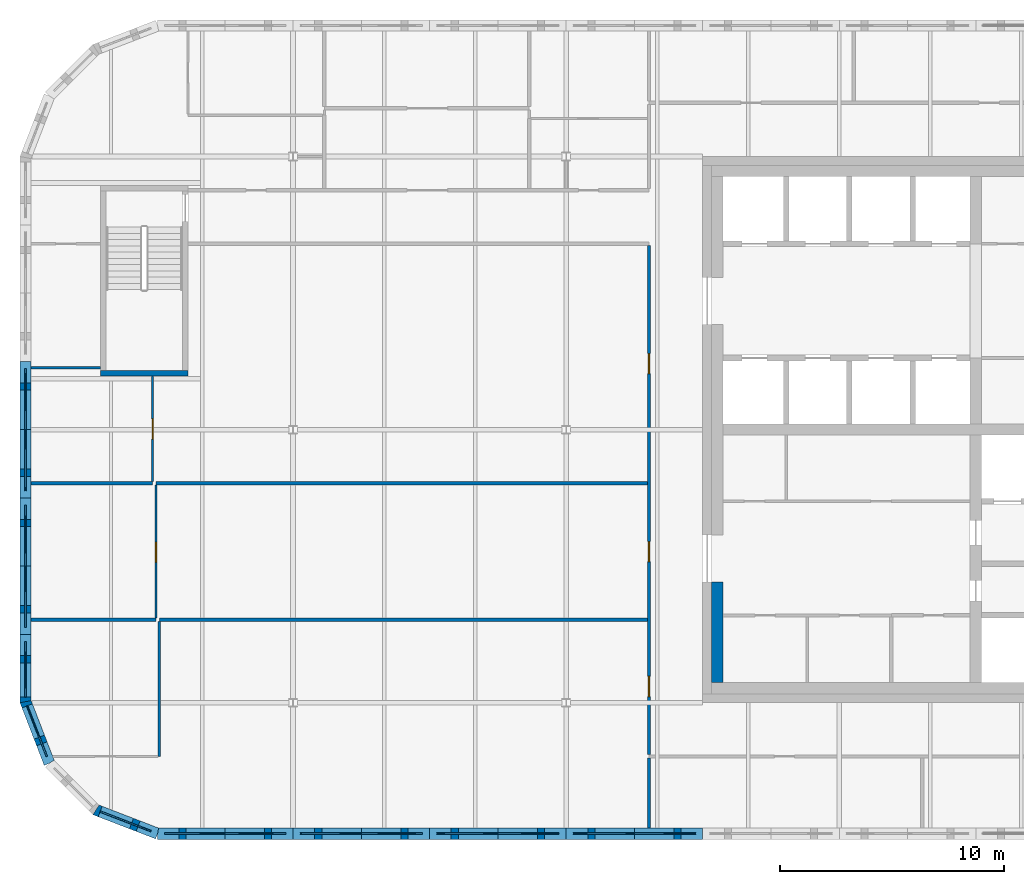
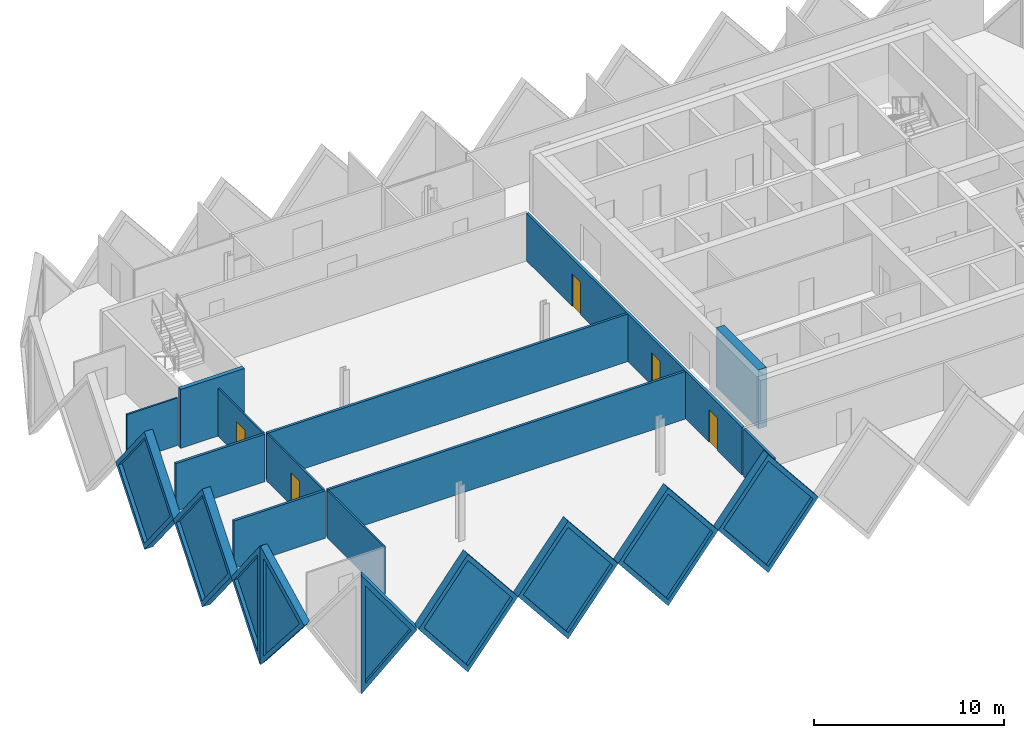
# One storey, part 3 of 11: 21 walls, 9 plates, 5 doors, 14 openings.
"""IFC4 building model written with IfcOpenShell, lengths in metres."""

import ifcopenshell
import ifcopenshell.guid

model = None  # the IFC model being written
_history = None  # IfcOwnerHistory: only IFC2X3 demands one
_inside = {}  # id of a spatial element -> (the spatial element, [elements in it])
_under = {}  # id of a project, library or spatial element -> (it, [spatial elements below it])
_declared = {}  # id of a project -> (the project, [libraries it declares])
_typed = {}  # id of a type object -> (the type object, [elements of that type])
_made_of = {}  # id of a material, layer set ... -> (it, [elements and type objects made of it])


def new_model(schema):
    """Start an empty IFC model of exactly this schema.

    Asked for "IFC4X3", IfcOpenShell would pick the latest addendum, in which some entities
    have other attributes; the version numbers below select the first issue.
    IFC2X3 requires an IfcOwnerHistory on every rooted entity: one is made here for all.
    """
    global model, _history
    if schema == "IFC4X3":
        model = ifcopenshell.file(schema_version=(4, 3, 0, 0))
    else:
        model = ifcopenshell.file(schema=schema)
    _inside.clear()
    _under.clear()
    _declared.clear()
    _typed.clear()
    _made_of.clear()
    _history = None
    if model.schema == "IFC2X3":
        org = make("IfcOrganization", Name="unknown")
        user = make(
            "IfcPersonAndOrganization",
            ThePerson=make("IfcPerson", FamilyName="unknown"),
            TheOrganization=org,
        )
        app = make(
            "IfcApplication",
            ApplicationDeveloper=org,
            Version="unknown",
            ApplicationFullName="unknown",
            ApplicationIdentifier="unknown",
        )
        _history = make(
            "IfcOwnerHistory",
            OwningUser=user,
            OwningApplication=app,
            ChangeAction="ADDED",
            CreationDate=0,
        )
    return model


def make(cls, **values):
    """One entity of the class cls with the attributes given. An attribute that is None is left unset."""
    return model.create_entity(
        cls, **{name: value for name, value in values.items() if value is not None}
    )


def rooted(cls, **values):
    """An entity with a GlobalId (a new one), such as an element, a storey or a relation."""
    return make(cls, GlobalId=ifcopenshell.guid.new(), OwnerHistory=_history, **values)


def si_unit(unit_type, name, prefix=None):
    """IfcSIUnit, for example si_unit("LENGTHUNIT", "METRE", prefix="MILLI")."""
    return make("IfcSIUnit", UnitType=unit_type, Prefix=prefix, Name=name)


def assignment(units):
    """IfcUnitAssignment: the units of a project."""
    return None if units is None else make("IfcUnitAssignment", Units=units)


def point(xyz):
    """IfcCartesianPoint."""
    return None if xyz is None else make("IfcCartesianPoint", Coordinates=xyz)


def direction(xyz):
    """IfcDirection."""
    return None if xyz is None else make("IfcDirection", DirectionRatios=xyz)


def frame(location, z_axis=None, x_axis=None):
    """IfcAxis2Placement3D, a coordinate frame: its origin and axes. An axis left out is left unset."""
    return make(
        "IfcAxis2Placement3D",
        Location=point(location),
        Axis=direction(z_axis),
        RefDirection=direction(x_axis),
    )


def frame_2d(location, x_axis=None):
    """IfcAxis2Placement2D, a coordinate frame in the plane: its origin and x axis."""
    return make(
        "IfcAxis2Placement2D", Location=point(location), RefDirection=direction(x_axis)
    )


def origin():
    """The frame at (0, 0, 0) with its axes left unset."""
    return frame((0.0, 0.0, 0.0))


def place(relative_to, where):
    """IfcLocalPlacement: puts the frame where relative to a parent placement (None: the world)."""
    return make(
        "IfcLocalPlacement", PlacementRelTo=relative_to, RelativePlacement=where
    )


def context(
    kind, dimensions, precision=None, world=None, true_north=None, identifier=None
):
    """IfcGeometricRepresentationContext, for example the 3D "Model" context."""
    return make(
        "IfcGeometricRepresentationContext",
        ContextIdentifier=identifier,
        ContextType=kind,
        CoordinateSpaceDimension=dimensions,
        Precision=precision,
        WorldCoordinateSystem=world,
        TrueNorth=true_north,
    )


def subcontext(parent, identifier, kind, view, scale=None):
    """IfcGeometricRepresentationSubContext, for example "Body" below "Model"."""
    return make(
        "IfcGeometricRepresentationSubContext",
        ContextIdentifier=identifier,
        ContextType=kind,
        ParentContext=parent,
        TargetScale=scale,
        TargetView=view,
    )


def project(units=None, contexts=None):
    """IfcProject with its units and contexts."""
    return rooted(
        "IfcProject",
        Name="project",
        RepresentationContexts=contexts,
        UnitsInContext=assignment(units),
    )


def spatial(cls, under=None, at=None, **own):
    """A site, building, storey or space (cls), placed at a placement, below another one or the project."""
    s = rooted(cls, ObjectPlacement=at, **own)
    if under is not None:
        _under.setdefault(under.id(), (under, []))[1].append(s)
    return s


def polyline(points):
    """IfcPolyline through the points."""
    return make("IfcPolyline", Points=[point(p) for p in points])


def profile(cls, at=None, kind="AREA", **sizes):
    """A parametric profile (cls). Its sizes go by their IFC names, for example OverallWidth=200.0."""
    return make(cls, ProfileType=kind, Position=at, **sizes)


def rectangle(**sizes):
    """IfcRectangleProfileDef."""
    return profile("IfcRectangleProfileDef", **sizes)


def outline(outer, holes=None, kind="AREA"):
    """IfcArbitraryClosedProfileDef: a profile drawn as a closed curve; with holes, ...WithVoids."""
    if holes is None:
        return make("IfcArbitraryClosedProfileDef", ProfileType=kind, OuterCurve=outer)
    return make(
        "IfcArbitraryProfileDefWithVoids",
        ProfileType=kind,
        OuterCurve=outer,
        InnerCurves=holes,
    )


def extrude(swept, where, along, depth):
    """IfcExtrudedAreaSolid: the profile swept, set in the frame where, extruded along a direction by depth."""
    return make(
        "IfcExtrudedAreaSolid",
        SweptArea=swept,
        Position=where,
        ExtrudedDirection=direction(along),
        Depth=depth,
    )


def faces_of(points, faces, orient=None, outer=None):
    """IfcFace entities. A face is a list of loops; a loop is a list of indices into points, from 0.

    orient and outer hold one flag for each loop. By default every Orientation is true, the
    first loop of a face is its IfcFaceOuterBound and the others are IfcFaceBound.
    """
    made = []
    for i, loops in enumerate(faces):
        bounds = []
        for j, loop in enumerate(loops):
            is_outer = j == 0 if outer is None else outer[i][j]
            bounds.append(
                make(
                    "IfcFaceOuterBound" if is_outer else "IfcFaceBound",
                    Bound=make("IfcPolyLoop", Polygon=[points[k] for k in loop]),
                    Orientation=True if orient is None else orient[i][j],
                )
            )
        made.append(make("IfcFace", Bounds=bounds))
    return made


def faceted_brep(points, faces, orient=None, outer=None, voids=None):
    """IfcFacetedBrep: a solid bounded by flat faces; with voids (closed shells), ...WithVoids."""
    shared = [point(p) for p in points]
    hull = make("IfcClosedShell", CfsFaces=faces_of(shared, faces, orient, outer))
    if voids is None:
        return make("IfcFacetedBrep", Outer=hull)
    return make(
        "IfcFacetedBrepWithVoids",
        Outer=hull,
        Voids=[
            make(cls, CfsFaces=faces_of(shared, fs, o, b)) for cls, fs, o, b in voids
        ],
    )


def shape(context_of_items, identifier, shape_type, items):
    """IfcShapeRepresentation: the items that make up one representation, for example the "Body"."""
    return make(
        "IfcShapeRepresentation",
        ContextOfItems=context_of_items,
        RepresentationIdentifier=identifier,
        RepresentationType=shape_type,
        Items=items,
    )


def source(mapping_origin, context_of_items, identifier, shape_type, items):
    """IfcRepresentationMap: a shape defined once, which mapped items show again and again."""
    return make(
        "IfcRepresentationMap",
        MappingOrigin=mapping_origin,
        MappedRepresentation=shape(context_of_items, identifier, shape_type, items),
    )


def transform(
    local_origin,
    x_axis=None,
    y_axis=None,
    z_axis=None,
    scale=None,
    scale2=None,
    scale3=None,
    uniform=True,
):
    """IfcCartesianTransformationOperator3D, or its non-uniform kind. x_axis, y_axis, z_axis: its Axis1, 2, 3."""
    if uniform:
        return make(
            "IfcCartesianTransformationOperator3D",
            Axis1=direction(x_axis),
            Axis2=direction(y_axis),
            LocalOrigin=point(local_origin),
            Scale=scale,
            Axis3=direction(z_axis),
        )
    return make(
        "IfcCartesianTransformationOperator3DnonUniform",
        Axis1=direction(x_axis),
        Axis2=direction(y_axis),
        LocalOrigin=point(local_origin),
        Scale=scale,
        Axis3=direction(z_axis),
        Scale2=scale2,
        Scale3=scale3,
    )


def mapped(mapping_source, mapping_target):
    """IfcMappedItem: shows the shape of a source again, moved by a transform."""
    return make(
        "IfcMappedItem", MappingSource=mapping_source, MappingTarget=mapping_target
    )


def material(Name=None, Category=None):
    """IfcMaterial."""
    return make("IfcMaterial", Name=Name, Category=Category)


def layer(
    of_material, thickness, ventilated=None, Name=None, Category=None, Priority=None
):
    """IfcMaterialLayer: one layer of a wall or slab, of a material (None: an air gap)."""
    return make(
        "IfcMaterialLayer",
        Material=of_material,
        LayerThickness=thickness,
        IsVentilated=ventilated,
        Name=Name,
        Category=Category,
        Priority=Priority,
    )


def layer_set(layers, Name=None):
    """IfcMaterialLayerSet."""
    return make("IfcMaterialLayerSet", MaterialLayers=layers, LayerSetName=Name)


def made_of(thing, what):
    """Note that an element or type object is made of a material, layer set ...; save() writes the relation."""
    if what is not None:
        _made_of.setdefault(what.id(), (what, []))[1].append(thing)
    return thing


def type_object(cls, material=None, **own):
    """A type object (cls), such as IfcWallType, which elements share."""
    return made_of(rooted(cls, **own), material)


def element(
    cls,
    number,
    at=None,
    inside=None,
    cuts=None,
    type_object=None,
    material=None,
    context=None,
    identifier="Body",
    shape_type=None,
    held_by="IfcProductDefinitionShape",
    body=None,
    shapes=None,
    **own,
):
    """One element of the class cls, such as IfcWall. Its Tag is "e" and its number.

    at: its placement. inside: the storey or other place that contains it. cuts: it is an
    opening in that element (IfcRelVoidsElement). A single representation is given by context,
    identifier, shape_type and body (its items); several are given by shapes. held_by: the class
    of the entity that holds the representations. save() writes the other relations.
    """
    e = rooted(cls, Tag="e%d" % number, ObjectPlacement=at, **own)
    if body is not None:
        shapes = [shape(context, identifier, shape_type, body)]
    if shapes is not None:
        e.Representation = make(held_by, Representations=shapes)
    if inside is not None:
        _inside.setdefault(inside.id(), (inside, []))[1].append(e)
    if cuts is not None:
        rooted(
            "IfcRelVoidsElement", RelatingBuildingElement=cuts, RelatedOpeningElement=e
        )
    if type_object is not None:
        _typed.setdefault(type_object.id(), (type_object, []))[1].append(e)
    return made_of(e, material)


def fill(opening, filler):
    """IfcRelFillsElement: the door or window that sits in an opening."""
    return rooted(
        "IfcRelFillsElement",
        RelatingOpeningElement=opening,
        RelatedBuildingElement=filler,
    )


def aggregate(whole, parts):
    """IfcRelAggregates: a whole, such as a stair, and the parts it consists of."""
    return rooted("IfcRelAggregates", RelatingObject=whole, RelatedObjects=parts)


def save(model, path):
    """Write the relations noted so far, then the file.

    IfcRelAggregates (storeys below a building ...), IfcRelContainedInSpatialStructure (elements
    in a storey), IfcRelDefinesByType, IfcRelAssociatesMaterial and IfcRelDeclares: one each for
    every whole, place, type object, material and project.
    """
    for whole, parts in _under.values():
        aggregate(whole, parts)
    for where, things in _inside.values():
        rooted(
            "IfcRelContainedInSpatialStructure",
            RelatedElements=things,
            RelatingStructure=where,
        )
    for kind, things in _typed.values():
        rooted("IfcRelDefinesByType", RelatedObjects=things, RelatingType=kind)
    for what, things in _made_of.values():
        rooted("IfcRelAssociatesMaterial", RelatedObjects=things, RelatingMaterial=what)
    for by, libraries in _declared.values():
        rooted("IfcRelDeclares", RelatingContext=by, RelatedDefinitions=libraries)
    model.write(path)


model = new_model("IFC4")

# Units and contexts
model_context = context("Model", 3, precision=1e-05, world=origin(), true_north=direction((0.0, 1.0)))
body_context = subcontext(model_context, "Body", "Model", "MODEL_VIEW")
ifc_project = project(units=[si_unit("LENGTHUNIT", "METRE"), si_unit("AREAUNIT", "SQUARE_METRE"), si_unit("VOLUMEUNIT", "CUBIC_METRE"), si_unit("PLANEANGLEUNIT", "RADIAN"), si_unit("MASSUNIT", "GRAM", prefix="KILO")], contexts=[model_context])

# Site, building, storey
site_placement = place(None, origin())
site = spatial("IfcSite", under=ifc_project, at=site_placement, CompositionType="ELEMENT")
building_placement = place(site_placement, origin())
building = spatial("IfcBuilding", under=site, at=building_placement, Name="Tessera Gate Towers", CompositionType="ELEMENT")
storey_placement = place(building_placement, frame((0.0, 0.0, 240.699951171875)))
storey = spatial("IfcBuildingStorey", under=building, at=storey_placement, Name="L60", CompositionType="ELEMENT", Elevation=240.699951171875)

# Walls
ifc_material_1 = material(Name="Concrete C40/50", Category="concrete")
ifc_layer_1 = layer(ifc_material_1, 0.25)
ifc_layer_set_1 = layer_set([ifc_layer_1], Name="CORE ENCLOSURE WALL 250")
wall_type_1 = type_object("IfcWallType", Name="CORE ENCLOSURE WALL 250", PredefinedType="SOLIDWALL", material=ifc_layer_set_1)
wall_1_placement = place(storey_placement, frame((7.5, 39.125, 0.0), z_axis=(0.0, 0.0, 1.0), x_axis=(-1.0, 0.0, 0.0)))
element("IfcWall", 1, at=wall_1_placement, inside=storey, type_object=wall_type_1, Name="L60 ST3 enclosure wall", PredefinedType="SOLIDWALL", context=body_context, shape_type="SweptSolid", body=[
    extrude(rectangle(XDim=3.89990234375, YDim=0.25, at=frame_2d((1.949951171875, 0.0))), origin(), (0.0, 0.0, 1.0), 3.800048828125),
])
ifc_material_2 = material(Name="Concrete C40/50", Category="concrete")
ifc_layer_2 = layer(ifc_material_2, 0.5)
ifc_layer_set_2 = layer_set([ifc_layer_2], Name="CORE WALL THICKENING 500")
wall_type_2 = type_object("IfcWallType", Name="CORE WALL THICKENING 500", PredefinedType="SOLIDWALL", material=ifc_layer_set_2)
wall_2_placement = place(storey_placement, frame((31.14990234375, 25.300048828125, 0.0), z_axis=(0.0, 0.0, 1.0), x_axis=(0.0, 1.0, 0.0)))
element("IfcWall", 2, at=wall_2_placement, inside=storey, type_object=wall_type_2, Name="Core wall thickening W L60", PredefinedType="SOLIDWALL", context=body_context, shape_type="SweptSolid", body=[
    extrude(rectangle(XDim=4.5, YDim=0.5, at=frame_2d((2.25, 0.0))), origin(), (0.0, 0.0, 1.0), 3.800048828125),
])

# Wall, openings, doors
ifc_material_3 = material(Name="Gypsum board on steel studs, mineral wool", Category="steel")
ifc_layer_3 = layer(ifc_material_3, 0.14990234375)
ifc_layer_set_3 = layer_set([ifc_layer_3], Name="CORRIDOR WALL 150")
wall_type_3 = type_object("IfcWallType", Name="CORRIDOR WALL 150", PredefinedType="PARTITIONING", material=ifc_layer_set_3)
wall_3_placement = place(storey_placement, frame((28.10009765625, 22.075927734375, 0.0), z_axis=(0.0, 0.0, 1.0), x_axis=(0.0, 1.0, 0.0)))
wall_3 = element("IfcWall", 3, at=wall_3_placement, inside=storey, type_object=wall_type_3, Name="T1-L60-PW-009", PredefinedType="PARTITIONING", context=body_context, shape_type="SweptSolid", body=[
    extrude(rectangle(XDim=22.748046875, YDim=0.14990234375, at=frame_2d((11.3740234375, 0.0))), origin(), (0.0, 0.0, 1.0), 3.067138671875),
])
shared_shape_1 = source(origin(), body_context, "Body", "SweptSolid", [
    extrude(rectangle(XDim=0.89990234375, YDim=2.10009765625, at=frame_2d((0.449951171875, 1.050048828125))), frame((0.0, 0.0849609375, 0.0), z_axis=(0.0, -1.0, 0.0), x_axis=(1.0, 0.0, 0.0)), (0.0, 0.0, 1.0), 0.169921875),
])
opening_1_placement = place(wall_3_placement, frame((2.60009765625, 0.0, 0.0)))
opening_1 = element("IfcOpeningElement", 4, at=opening_1_placement, cuts=wall_3, Name="Opening D890FD60-A21-03", PredefinedType="OPENING", context=body_context, shape_type="MappedRepresentation", body=[
    mapped(shared_shape_1, transform((0.0, 0.0, 0.0), scale=1.0)),
])
opening_2_placement = place(wall_3_placement, frame((8.625, 0.0, 0.0)))
opening_2 = element("IfcOpeningElement", 5, at=opening_2_placement, cuts=wall_3, Name="Opening D890FD60-A21-04", PredefinedType="OPENING", context=body_context, shape_type="MappedRepresentation", body=[
    mapped(shared_shape_1, transform((0.0, 0.0, 0.0), scale=1.0)),
])
opening_3_placement = place(wall_3_placement, frame((17.02392578125, 0.0, 0.0)))
opening_3 = element("IfcOpeningElement", 6, at=opening_3_placement, cuts=wall_3, Name="Opening D890FD60-A21-09", PredefinedType="OPENING", context=body_context, shape_type="MappedRepresentation", body=[
    mapped(shared_shape_1, transform((0.0, 0.0, 0.0), scale=1.0)),
])
ifc_material_4 = material(Name="Timber door leaf in steel frame", Category="steel")
door_type_1 = type_object("IfcDoorType", Name="CORRIDOR DOOR 900 FD60", OperationType="NOTDEFINED", PredefinedType="DOOR", material=ifc_material_4)
shared_shape_2 = source(origin(), body_context, "Body", "SweptSolid", [
    extrude(rectangle(XDim=0.89990234375, YDim=2.10009765625, at=frame_2d((0.449951171875, 1.050048828125))), frame((0.0, 0.02490234375, 0.0), z_axis=(0.0, -1.0, 0.0), x_axis=(1.0, 0.0, 0.0)), (0.0, 0.0, 1.0), 0.050048828125),
])
door_1_placement = place(opening_1_placement, origin())
door_1 = element("IfcDoor", 7, at=door_1_placement, inside=storey, type_object=door_type_1, Name="T1-L60-PD-007", OperationType="SINGLE_SWING_LEFT", OverallHeight=2.10009765625, OverallWidth=0.89990234375, PredefinedType="DOOR", context=body_context, shape_type="MappedRepresentation", body=[
    mapped(shared_shape_2, transform((0.0, 0.0, 0.0), scale=1.0)),
])
fill(opening_1, door_1)
door_2_placement = place(opening_2_placement, origin())
door_2 = element("IfcDoor", 8, at=door_2_placement, inside=storey, type_object=door_type_1, Name="T1-L60-PD-008", OperationType="SINGLE_SWING_LEFT", OverallHeight=2.10009765625, OverallWidth=0.89990234375, PredefinedType="DOOR", context=body_context, shape_type="MappedRepresentation", body=[
    mapped(shared_shape_2, transform((0.0, 0.0, 0.0), scale=1.0)),
])
fill(opening_2, door_2)
door_3_placement = place(opening_3_placement, origin())
door_3 = element("IfcDoor", 9, at=door_3_placement, inside=storey, type_object=door_type_1, Name="T1-L60-PD-016", OperationType="SINGLE_SWING_LEFT", OverallHeight=2.10009765625, OverallWidth=0.89990234375, PredefinedType="DOOR", context=body_context, shape_type="MappedRepresentation", body=[
    mapped(shared_shape_2, transform((0.0, 0.0, 0.0), scale=1.0)),
])
fill(opening_3, door_3)

# Wall
ifc_material_5 = material(Name="Glass", Category="glass")
ifc_layer_4 = layer(ifc_material_5, 0.10009765625)
ifc_layer_set_4 = layer_set([ifc_layer_4], Name="GLAZED PARTITION 100")
wall_type_4 = type_object("IfcWallType", Name="GLAZED PARTITION 100", PredefinedType="PARTITIONING", material=ifc_layer_set_4)
wall_4_placement = place(storey_placement, frame((6.22509765625, 22.0, 0.0), z_axis=(0.0, 0.0, 1.0), x_axis=(0.0, 1.0, 0.0)))
element("IfcWall", 10, at=wall_4_placement, inside=storey, type_object=wall_type_4, Name="T1-L60-PW-005", PredefinedType="PARTITIONING", context=body_context, shape_type="SweptSolid", body=[
    extrude(rectangle(XDim=6.02392578125, YDim=0.10009765625, at=frame_2d((3.011962890625, 0.0))), origin(), (0.0, 0.0, 1.0), 3.067138671875),
])

# Wall, opening, door
wall_5_placement = place(storey_placement, frame((6.074951171875, 28.176025390625, 0.0), z_axis=(0.0, 0.0, 1.0), x_axis=(0.0, 1.0, 0.0)))
wall_5 = element("IfcWall", 11, at=wall_5_placement, inside=storey, type_object=wall_type_4, Name="T1-L60-PW-012", PredefinedType="PARTITIONING", context=body_context, shape_type="SweptSolid", body=[
    extrude(rectangle(XDim=5.947998046875, YDim=0.10009765625, at=frame_2d((2.97412109375, 0.0))), origin(), (0.0, 0.0, 1.0), 3.067138671875),
])
shared_shape_3 = source(origin(), body_context, "Body", "SweptSolid", [
    extrude(rectangle(XDim=0.89990234375, YDim=2.10009765625, at=frame_2d((0.449951171875, 1.050048828125))), frame((0.0, 0.06005859375, 0.0), z_axis=(0.0, -1.0, 0.0), x_axis=(1.0, 0.0, 0.0)), (0.0, 0.0, 1.0), 0.1201171875),
])
opening_4_placement = place(wall_5_placement, frame((2.5, 0.0, 0.0)))
opening_4 = element("IfcOpeningElement", 12, at=opening_4_placement, cuts=wall_5, Name="Opening D690-A21-04", PredefinedType="OPENING", context=body_context, shape_type="MappedRepresentation", body=[
    mapped(shared_shape_3, transform((0.0, 0.0, 0.0), scale=1.0)),
])
ifc_material_6 = material(Name="Glass in aluminium frame", Category="aluminium")
door_type_2 = type_object("IfcDoorType", Name="GLAZED DOOR 900 NOT RATED", OperationType="NOTDEFINED", PredefinedType="DOOR", material=ifc_material_6)
door_4_placement = place(opening_4_placement, origin())
door_4 = element("IfcDoor", 13, at=door_4_placement, inside=storey, type_object=door_type_2, Name="T1-L60-PD-006", OperationType="SINGLE_SWING_LEFT", OverallHeight=2.10009765625, OverallWidth=0.89990234375, PredefinedType="DOOR", context=body_context, shape_type="MappedRepresentation", body=[
    mapped(shared_shape_2, transform((0.0, 0.0, 0.0), scale=1.0)),
])
fill(opening_4, door_4)

wall_6_placement = place(storey_placement, frame((5.925048828125, 34.27587890625, 0.0), z_axis=(0.0, 0.0, 1.0), x_axis=(0.0, 1.0, 0.0)))
wall_6 = element("IfcWall", 14, at=wall_6_placement, inside=storey, type_object=wall_type_4, Name="T1-L60-PW-015", PredefinedType="PARTITIONING", context=body_context, shape_type="SweptSolid", body=[
    extrude(rectangle(XDim=4.72412109375, YDim=0.10009765625, at=frame_2d((2.362060546875, 0.0))), origin(), (0.0, 0.0, 1.0), 3.067138671875),
])
opening_5_placement = place(wall_6_placement, frame((1.89990234375, 0.0, 0.0)))
opening_5 = element("IfcOpeningElement", 15, at=opening_5_placement, cuts=wall_6, Name="Opening D690-A21-02", PredefinedType="OPENING", context=body_context, shape_type="MappedRepresentation", body=[
    mapped(shared_shape_3, transform((0.0, 0.0, 0.0), scale=1.0)),
])
door_5_placement = place(opening_5_placement, origin())
door_5 = element("IfcDoor", 16, at=door_5_placement, inside=storey, type_object=door_type_2, Name="T1-L60-PD-003", OperationType="SINGLE_SWING_LEFT", OverallHeight=2.10009765625, OverallWidth=0.89990234375, PredefinedType="DOOR", context=body_context, shape_type="MappedRepresentation", body=[
    mapped(shared_shape_2, transform((0.0, 0.0, 0.0), scale=1.0)),
])
fill(opening_5, door_5)

# Walls
ifc_material_7 = material(Name="Gypsum board on steel studs", Category="steel")
ifc_layer_5 = layer(ifc_material_7, 0.10009765625)
ifc_layer_set_5 = layer_set([ifc_layer_5], Name="PARTITION 100")
wall_type_5 = type_object("IfcWallType", Name="PARTITION 100", PredefinedType="PARTITIONING", material=ifc_layer_set_5)
wall_7_placement = place(storey_placement, frame((0.5, 39.368896484375, 0.0), z_axis=(0.0, 0.0, 1.0), x_axis=(1.0, 0.0, 0.0)))
element("IfcWall", 17, at=wall_7_placement, inside=storey, type_object=wall_type_5, Name="T1-L60-PW-016", PredefinedType="PARTITIONING", context=body_context, shape_type="SweptSolid", body=[
    extrude(rectangle(XDim=3.10009765625, YDim=0.10009765625, at=frame_2d((1.550048828125, 0.0))), origin(), (0.0, 0.0, 1.0), 3.067138671875),
])
ifc_material_8 = material(Name="Gypsum board on steel studs, mineral wool", Category="steel")
ifc_layer_6 = layer(ifc_material_8, 0.14990234375)
ifc_layer_set_6 = layer_set([ifc_layer_6], Name="TENANCY WALL 150")
wall_type_6 = type_object("IfcWallType", Name="TENANCY WALL 150", PredefinedType="PARTITIONING", material=ifc_layer_set_6)
wall_8_placement = place(storey_placement, frame((28.10009765625, 18.800048828125, 0.0), z_axis=(0.0, 0.0, 1.0), x_axis=(0.0, 1.0, 0.0)))
element("IfcWall", 18, at=wall_8_placement, inside=storey, type_object=wall_type_6, Name="T1-L60-PW-001", PredefinedType="PARTITIONING", context=body_context, shape_type="SweptSolid", body=[
    extrude(rectangle(XDim=3.1240234375, YDim=0.14990234375, at=frame_2d((1.56201171875, 0.0))), origin(), (0.0, 0.0, 1.0), 3.067138671875),
])
wall_9_placement = place(storey_placement, frame((0.5, 28.10009765625, 0.0), z_axis=(0.0, 0.0, 1.0), x_axis=(1.0, 0.0, 0.0)))
element("IfcWall", 19, at=wall_9_placement, inside=storey, type_object=wall_type_6, Name="T1-L60-PW-010", PredefinedType="PARTITIONING", context=body_context, shape_type="SweptSolid", body=[
    extrude(rectangle(XDim=5.574951171875, YDim=0.14990234375, at=frame_2d((2.78759765625, 0.0))), origin(), (0.0, 0.0, 1.0), 3.067138671875),
])
wall_10_placement = place(storey_placement, frame((6.22509765625, 28.10009765625, 0.0), z_axis=(0.0, 0.0, 1.0), x_axis=(1.0, 0.0, 0.0)))
element("IfcWall", 20, at=wall_10_placement, inside=storey, type_object=wall_type_6, Name="T1-L60-PW-011", PredefinedType="PARTITIONING", context=body_context, shape_type="SweptSolid", body=[
    extrude(rectangle(XDim=21.798828125, YDim=0.14990234375, at=frame_2d((10.8994140625, 0.0))), origin(), (0.0, 0.0, 1.0), 3.067138671875),
])
wall_11_placement = place(storey_placement, frame((0.5, 34.199951171875, 0.0), z_axis=(0.0, 0.0, 1.0), x_axis=(1.0, 0.0, 0.0)))
element("IfcWall", 21, at=wall_11_placement, inside=storey, type_object=wall_type_6, Name="T1-L60-PW-013", PredefinedType="PARTITIONING", context=body_context, shape_type="SweptSolid", body=[
    extrude(rectangle(XDim=5.425048828125, YDim=0.14990234375, at=frame_2d((2.71240234375, 0.0))), origin(), (0.0, 0.0, 1.0), 3.067138671875),
])
wall_12_placement = place(storey_placement, frame((6.074951171875, 34.199951171875, 0.0), z_axis=(0.0, 0.0, 1.0), x_axis=(1.0, 0.0, 0.0)))
element("IfcWall", 22, at=wall_12_placement, inside=storey, type_object=wall_type_6, Name="T1-L60-PW-014", PredefinedType="PARTITIONING", context=body_context, shape_type="SweptSolid", body=[
    extrude(rectangle(XDim=21.948974609375, YDim=0.14990234375, at=frame_2d((10.974609375, 0.0))), origin(), (0.0, 0.0, 1.0), 3.067138671875),
])

# Wall, opening, plate
ifc_material_9 = material(Name="Precast concrete C60/75 white", Category="concrete")
ifc_layer_7 = layer(ifc_material_9, 0.5)
ifc_layer_set_7 = layer_set([ifc_layer_7], Name="TS1 tessera")
wall_type_7 = type_object("IfcWallType", Name="TS1 tessera", PredefinedType="SOLIDWALL", material=ifc_layer_set_7)
shared_shape_4 = source(origin(), body_context, "Body", "Brep", [
    faceted_brep([(3.00341796875, -0.25, 0.0), (6.053466796875, -0.25, 3.800048828125), (3.00341796875, -0.25, 7.60009765625), (0.0, -0.25, 3.800048828125), (0.046630859375, 0.25, 3.85888671875), (3.00341796875, 0.25, 7.60009765625), (6.053466796875, 0.25, 3.800048828125), (3.00341796875, 0.25, 0.0), (0.046630859375, 0.25, 3.7412109375), (0.0, 0.0, 3.800048828125)], [[[0, 1, 2, 3]], [[4, 5, 6, 7, 8]], [[7, 6, 1, 0]], [[6, 5, 2, 1]], [[5, 4, 9, 3, 2]], [[8, 7, 0, 3, 9]], [[8, 9, 4]]]),
])
wall_13_placement = place(storey_placement, frame((6.146484375, 18.550048828125, -3.800048828125), z_axis=(0.0, 0.0, 1.0), x_axis=(1.0, 0.0, 0.0)))
wall_13 = element("IfcWall", 23, at=wall_13_placement, inside=storey, type_object=wall_type_7, Name="Precast tessera T1 TS1-1035", PredefinedType="SOLIDWALL", context=body_context, shape_type="MappedRepresentation", body=[
    mapped(shared_shape_4, transform((0.0, 0.0, 0.0), scale=1.0)),
])
shared_shape_5 = source(origin(), body_context, "Body", "SweptSolid", [
    extrude(outline(polyline([(3.0048828125, 0.4013671875), (5.73291015625, 3.800048828125), (3.0048828125, 7.19873046875), (0.318603515625, 3.800048828125), (3.0048828125, 0.4013671875)])), frame((0.0, 0.260009765625, 0.0), z_axis=(0.0, -1.0, 0.0), x_axis=(1.0, 0.0, 0.0)), (0.0, 0.0, 1.0), 0.52001953125),
])
opening_6_placement = place(wall_13_placement, origin())
opening_6 = element("IfcOpeningElement", 24, at=opening_6_placement, cuts=wall_13, Name="Opening T1-PL2-2119", PredefinedType="OPENING", context=body_context, shape_type="MappedRepresentation", body=[
    mapped(shared_shape_5, transform((0.0, 0.0, 0.0), scale=1.0)),
])
ifc_material_10 = material(Name="Low-e laminated glass", Category="glass")
ifc_layer_8 = layer(ifc_material_10, 0.06005859375)
ifc_layer_set_8 = layer_set([ifc_layer_8], Name="PL2 rhombic pane")
plate_type = type_object("IfcPlateType", Name="PL2 rhombic pane", PredefinedType="SHEET", material=ifc_layer_set_8)
shared_shape_6 = source(origin(), body_context, "Body", "SweptSolid", [
    extrude(outline(polyline([(3.0048828125, 0.4013671875), (5.73291015625, 3.800048828125), (3.0048828125, 7.19873046875), (0.318603515625, 3.800048828125), (3.0048828125, 0.4013671875)])), frame((0.0, 0.030029296875, 0.0), z_axis=(0.0, -1.0, 0.0), x_axis=(1.0, 0.0, 0.0)), (0.0, 0.0, 1.0), 0.06005859375),
])
plate_1_placement = place(opening_6_placement, origin())
plate_1 = element("IfcPlate", 25, at=plate_1_placement, inside=storey, type_object=plate_type, Name="Glass pane T1 PL2-2119", PredefinedType="SHEET", context=body_context, shape_type="MappedRepresentation", body=[
    mapped(shared_shape_6, transform((0.0, 0.0, 0.0), scale=1.0)),
])
fill(opening_6, plate_1)

shared_shape_7 = source(origin(), body_context, "Body", "Brep", [
    faceted_brep([(3.050048828125, -0.25, 0.0), (6.099853515625, -0.25, 3.7998046875), (6.099853515625, -0.25, 3.80029296875), (3.050048828125, -0.25, 7.60009765625), (0.0, -0.25, 3.800048828125), (0.0, 0.25, 3.800048828125), (3.050048828125, 0.25, 7.60009765625), (6.099853515625, 0.25, 3.80029296875), (6.099853515625, 0.25, 3.7998046875), (3.050048828125, 0.25, 0.0)], [[[0, 1, 2, 3, 4]], [[5, 6, 7, 8, 9]], [[9, 8, 1, 0]], [[7, 6, 3, 2]], [[6, 5, 4, 3]], [[5, 9, 0, 4]], [[1, 8, 7, 2]]]),
])
wall_14_placement = place(storey_placement, frame((18.300048828125, 18.550048828125, -3.800048828125), z_axis=(0.0, 0.0, 1.0), x_axis=(1.0, 0.0, 0.0)))
wall_14 = element("IfcWall", 26, at=wall_14_placement, inside=storey, type_object=wall_type_7, Name="Precast tessera T1 TS1-1037", PredefinedType="SOLIDWALL", context=body_context, shape_type="MappedRepresentation", body=[
    mapped(shared_shape_7, transform((0.0, 0.0, 0.0), scale=1.0)),
])
shared_shape_8 = source(origin(), body_context, "Body", "SweptSolid", [
    extrude(outline(polyline([(3.050048828125, 0.3994140625), (5.779541015625, 3.800048828125), (3.050048828125, 7.20068359375), (0.320556640625, 3.800048828125), (3.050048828125, 0.3994140625)])), frame((0.0, 0.260009765625, 0.0), z_axis=(0.0, -1.0, 0.0), x_axis=(1.0, 0.0, 0.0)), (0.0, 0.0, 1.0), 0.52001953125),
])
opening_7_placement = place(wall_14_placement, origin())
opening_7 = element("IfcOpeningElement", 27, at=opening_7_placement, cuts=wall_14, Name="Opening T1-PL2-2121", PredefinedType="OPENING", context=body_context, shape_type="MappedRepresentation", body=[
    mapped(shared_shape_8, transform((0.0, 0.0, 0.0), scale=1.0)),
])
shared_shape_9 = source(origin(), body_context, "Body", "SweptSolid", [
    extrude(outline(polyline([(3.050048828125, 0.3994140625), (5.779541015625, 3.800048828125), (3.050048828125, 7.20068359375), (0.320556640625, 3.800048828125), (3.050048828125, 0.3994140625)])), frame((0.0, 0.030029296875, 0.0), z_axis=(0.0, -1.0, 0.0), x_axis=(1.0, 0.0, 0.0)), (0.0, 0.0, 1.0), 0.06005859375),
])
plate_2_placement = place(opening_7_placement, origin())
plate_2 = element("IfcPlate", 28, at=plate_2_placement, inside=storey, type_object=plate_type, Name="Glass pane T1 PL2-2121", PredefinedType="SHEET", context=body_context, shape_type="MappedRepresentation", body=[
    mapped(shared_shape_9, transform((0.0, 0.0, 0.0), scale=1.0)),
])
fill(opening_7, plate_2)

wall_15_placement = place(storey_placement, frame((0.25, 39.64990234375, -3.800048828125), z_axis=(0.0, 0.0, 1.0), x_axis=(0.0, -1.0, 0.0)))
wall_15 = element("IfcWall", 29, at=wall_15_placement, inside=storey, type_object=wall_type_7, Name="Precast tessera T1 TS1-1055", PredefinedType="SOLIDWALL", context=body_context, shape_type="MappedRepresentation", body=[
    mapped(shared_shape_7, transform((0.0, 0.0, 0.0), scale=1.0)),
])
opening_8_placement = place(wall_15_placement, origin())
opening_8 = element("IfcOpeningElement", 30, at=opening_8_placement, cuts=wall_15, Name="Opening T1-PL2-2151", PredefinedType="OPENING", context=body_context, shape_type="MappedRepresentation", body=[
    mapped(shared_shape_8, transform((0.0, 0.0, 0.0), scale=1.0)),
])
plate_3_placement = place(opening_8_placement, origin())
plate_3 = element("IfcPlate", 31, at=plate_3_placement, inside=storey, type_object=plate_type, Name="Glass pane T1 PL2-2151", PredefinedType="SHEET", context=body_context, shape_type="MappedRepresentation", body=[
    mapped(shared_shape_9, transform((0.0, 0.0, 0.0), scale=1.0)),
])
fill(opening_8, plate_3)

shared_shape_10 = source(origin(), body_context, "Body", "SweptSolid", [
    extrude(outline(polyline([(3.050048828125, 0.0), (6.10009765625, 3.800048828125), (3.050048828125, 7.60009765625), (0.0, 3.800048828125), (3.050048828125, 0.0)])), frame((0.0, 0.25, 0.0), z_axis=(0.0, -1.0, 0.0), x_axis=(1.0, 0.0, 0.0)), (0.0, 0.0, 1.0), 0.5),
])
wall_16_placement = place(storey_placement, frame((12.199951171875, 18.550048828125, -3.800048828125), z_axis=(0.0, 0.0, 1.0), x_axis=(1.0, 0.0, 0.0)))
wall_16 = element("IfcWall", 32, at=wall_16_placement, inside=storey, type_object=wall_type_7, Name="Precast tessera T1 TS1-1036", PredefinedType="SOLIDWALL", context=body_context, shape_type="MappedRepresentation", body=[
    mapped(shared_shape_10, transform((0.0, 0.0, 0.0), scale=1.0)),
])
opening_9_placement = place(wall_16_placement, origin())
opening_9 = element("IfcOpeningElement", 33, at=opening_9_placement, cuts=wall_16, Name="Opening T1-PL2-2120", PredefinedType="OPENING", context=body_context, shape_type="MappedRepresentation", body=[
    mapped(shared_shape_8, transform((0.0, 0.0, 0.0), scale=1.0)),
])
plate_4_placement = place(opening_9_placement, origin())
plate_4 = element("IfcPlate", 34, at=plate_4_placement, inside=storey, type_object=plate_type, Name="Glass pane T1 PL2-2120", PredefinedType="SHEET", context=body_context, shape_type="MappedRepresentation", body=[
    mapped(shared_shape_9, transform((0.0, 0.0, 0.0), scale=1.0)),
])
fill(opening_9, plate_4)

wall_17_placement = place(storey_placement, frame((24.39990234375, 18.550048828125, -3.800048828125), z_axis=(0.0, 0.0, 1.0), x_axis=(1.0, 0.0, 0.0)))
wall_17 = element("IfcWall", 35, at=wall_17_placement, inside=storey, type_object=wall_type_7, Name="Precast tessera T1 TS1-1038", PredefinedType="SOLIDWALL", context=body_context, shape_type="MappedRepresentation", body=[
    mapped(shared_shape_10, transform((0.0, 0.0, 0.0), scale=1.0)),
])
opening_10_placement = place(wall_17_placement, origin())
opening_10 = element("IfcOpeningElement", 36, at=opening_10_placement, cuts=wall_17, Name="Opening T1-PL2-2122", PredefinedType="OPENING", context=body_context, shape_type="MappedRepresentation", body=[
    mapped(shared_shape_8, transform((0.0, 0.0, 0.0), scale=1.0)),
])
plate_5_placement = place(opening_10_placement, origin())
plate_5 = element("IfcPlate", 37, at=plate_5_placement, inside=storey, type_object=plate_type, Name="Glass pane T1 PL2-2122", PredefinedType="SHEET", context=body_context, shape_type="MappedRepresentation", body=[
    mapped(shared_shape_9, transform((0.0, 0.0, 0.0), scale=1.0)),
])
fill(opening_10, plate_5)

wall_18_placement = place(storey_placement, frame((0.25, 33.550048828125, -3.800048828125), z_axis=(0.0, 0.0, 1.0), x_axis=(0.0, -1.0, 0.0)))
wall_18 = element("IfcWall", 38, at=wall_18_placement, inside=storey, type_object=wall_type_7, Name="Precast tessera T1 TS1-1056", PredefinedType="SOLIDWALL", context=body_context, shape_type="MappedRepresentation", body=[
    mapped(shared_shape_10, transform((0.0, 0.0, 0.0), scale=1.0)),
])
opening_11_placement = place(wall_18_placement, origin())
opening_11 = element("IfcOpeningElement", 39, at=opening_11_placement, cuts=wall_18, Name="Opening T1-PL2-2152", PredefinedType="OPENING", context=body_context, shape_type="MappedRepresentation", body=[
    mapped(shared_shape_8, transform((0.0, 0.0, 0.0), scale=1.0)),
])
plate_6_placement = place(opening_11_placement, origin())
plate_6 = element("IfcPlate", 40, at=plate_6_placement, inside=storey, type_object=plate_type, Name="Glass pane T1 PL2-2152", PredefinedType="SHEET", context=body_context, shape_type="MappedRepresentation", body=[
    mapped(shared_shape_9, transform((0.0, 0.0, 0.0), scale=1.0)),
])
fill(opening_11, plate_6)

ifc_material_11 = material(Name="Precast concrete C60/75 white", Category="concrete")
ifc_layer_9 = layer(ifc_material_11, 0.5)
ifc_layer_set_9 = layer_set([ifc_layer_9], Name="TS3 corner tessera")
wall_type_8 = type_object("IfcWallType", Name="TS3 corner tessera", PredefinedType="SOLIDWALL", material=ifc_layer_set_9)
shared_shape_11 = source(origin(), body_context, "Body", "Brep", [
    faceted_brep([(3.00341796875, -0.25, 0.0), (3.050048828125, -0.25, 0.06005859375), (3.050048828125, -0.25, 7.5400390625), (3.00341796875, -0.25, 7.60009765625), (0.0, -0.25, 3.800048828125), (0.0, 0.25, 3.800048828125), (2.956787109375, 0.25, 7.541259765625), (2.956787109375, 0.25, 0.058837890625), (3.00341796875, 0.000244140625, 0.0), (3.00341796875, 0.000244140625, 7.60009765625)], [[[0, 1, 2, 3, 4]], [[5, 6, 7]], [[1, 0, 8]], [[9, 3, 2]], [[6, 5, 4, 3, 9]], [[5, 7, 8, 0, 4]], [[1, 8, 7, 6, 9, 2]]]),
])
wall_19_placement = place(storey_placement, frame((0.25, 27.449951171875, -3.800048828125), z_axis=(0.0, 0.0, 1.0), x_axis=(0.0, -1.0, 0.0)))
wall_19 = element("IfcWall", 41, at=wall_19_placement, inside=storey, type_object=wall_type_8, Name="Precast corner tessera T1 TS3-1397", PredefinedType="SOLIDWALL", context=body_context, shape_type="MappedRepresentation", body=[
    mapped(shared_shape_11, transform((0.0, 0.0, 0.0), scale=1.0)),
])
shared_shape_12 = source(origin(), body_context, "Body", "SweptSolid", [
    extrude(outline(polyline([(2.803466796875, 6.94384765625), (0.318603515625, 3.800048828125), (2.803466796875, 0.65625), (2.803466796875, 6.94384765625)])), frame((0.0, 0.260009765625, 0.0), z_axis=(0.0, -1.0, 0.0), x_axis=(1.0, 0.0, 0.0)), (0.0, 0.0, 1.0), 0.52001953125),
])
opening_12_placement = place(wall_19_placement, origin())
opening_12 = element("IfcOpeningElement", 42, at=opening_12_placement, cuts=wall_19, Name="Opening T1-PL2-2153", PredefinedType="OPENING", context=body_context, shape_type="MappedRepresentation", body=[
    mapped(shared_shape_12, transform((0.0, 0.0, 0.0), scale=1.0)),
])
shared_shape_13 = source(origin(), body_context, "Body", "SweptSolid", [
    extrude(outline(polyline([(2.803466796875, 6.94384765625), (0.318603515625, 3.800048828125), (2.803466796875, 0.65625), (2.803466796875, 6.94384765625)])), frame((0.0, 0.030029296875, 0.0), z_axis=(0.0, -1.0, 0.0), x_axis=(1.0, 0.0, 0.0)), (0.0, 0.0, 1.0), 0.06005859375),
])
plate_7_placement = place(opening_12_placement, origin())
plate_7 = element("IfcPlate", 43, at=plate_7_placement, inside=storey, type_object=plate_type, Name="Glass pane T1 PL2-2153", PredefinedType="SHEET", context=body_context, shape_type="MappedRepresentation", body=[
    mapped(shared_shape_13, transform((0.0, 0.0, 0.0), scale=1.0)),
])
fill(opening_12, plate_7)

shared_shape_14 = source(origin(), body_context, "Body", "Brep", [
    faceted_brep([(0.046630859375, -0.25, 0.0), (2.9970703125, -0.25, 3.800048828125), (0.046630859375, -0.25, 7.60009765625), (0.0, -0.25, 7.541259765625), (0.0, -0.25, 0.058837890625), (0.09326171875, 0.25, 7.5400390625), (2.9443359375, 0.25, 3.8681640625), (2.9443359375, 0.25, 3.73193359375), (0.09326171875, 0.25, 0.06005859375), (2.9970703125, 0.00048828125, 3.800048828125), (0.046630859375, 0.0, 0.0), (0.046630859375, 0.0, 7.60009765625)], [[[0, 1, 2, 3, 4]], [[5, 6, 7, 8]], [[8, 7, 9, 1, 0, 10]], [[6, 5, 11, 2, 1, 9]], [[3, 2, 11]], [[10, 0, 4]], [[8, 10, 4, 3, 11, 5]], [[9, 7, 6]]]),
])
wall_20_placement = place(storey_placement, frame((0.233154296875, 24.489990234375, -3.800048828125), z_axis=(0.0, 0.0, 1.0), x_axis=(0.359901446078, -0.932990326376, 0.0)))
wall_20 = element("IfcWall", 44, at=wall_20_placement, inside=storey, type_object=wall_type_8, Name="Precast corner tessera T1 TS3-1398", PredefinedType="SOLIDWALL", context=body_context, shape_type="MappedRepresentation", body=[
    mapped(shared_shape_14, transform((0.0, 0.0, 0.0), scale=1.0)),
])
shared_shape_15 = source(origin(), body_context, "Body", "SweptSolid", [
    extrude(outline(polyline([(0.24658203125, 0.665283203125), (2.6806640625, 3.800048828125), (0.24658203125, 6.934814453125), (0.24658203125, 0.665283203125)])), frame((0.0, 0.260009765625, 0.0), z_axis=(0.0, -1.0, 0.0), x_axis=(1.0, 0.0, 0.0)), (0.0, 0.0, 1.0), 0.52001953125),
])
opening_13_placement = place(wall_20_placement, origin())
opening_13 = element("IfcOpeningElement", 45, at=opening_13_placement, cuts=wall_20, Name="Opening T1-PL2-2154", PredefinedType="OPENING", context=body_context, shape_type="MappedRepresentation", body=[
    mapped(shared_shape_15, transform((0.0, 0.0, 0.0), scale=1.0)),
])
shared_shape_16 = source(origin(), body_context, "Body", "SweptSolid", [
    extrude(outline(polyline([(0.24658203125, 0.665283203125), (2.6806640625, 3.800048828125), (0.24658203125, 6.934814453125), (0.24658203125, 0.665283203125)])), frame((0.0, 0.030029296875, 0.0), z_axis=(0.0, -1.0, 0.0), x_axis=(1.0, 0.0, 0.0)), (0.0, 0.0, 1.0), 0.06005859375),
])
plate_8_placement = place(opening_13_placement, origin())
plate_8 = element("IfcPlate", 46, at=plate_8_placement, inside=storey, type_object=plate_type, Name="Glass pane T1 PL2-2154", PredefinedType="SHEET", context=body_context, shape_type="MappedRepresentation", body=[
    mapped(shared_shape_16, transform((0.0, 0.0, 0.0), scale=1.0)),
])
fill(opening_13, plate_8)

shared_shape_17 = source(origin(), body_context, "Body", "Brep", [
    faceted_brep([(0.052978515625, -0.25, 0.0), (3.00341796875, -0.25, 3.800048828125), (0.052978515625, -0.25, 7.60009765625), (0.0, -0.25, 7.53173828125), (0.0, -0.25, 0.068359375), (0.10595703125, 0.25, 7.531982421875), (2.95703125, 0.25, 3.85986328125), (2.95703125, 0.25, 3.740234375), (0.10595703125, 0.25, 0.068115234375), (3.00341796875, 0.00048828125, 3.800048828125), (0.052978515625, 0.0, 0.0), (0.052978515625, 0.0, 7.60009765625)], [[[0, 1, 2, 3, 4]], [[5, 6, 7, 8]], [[8, 7, 9, 1, 0, 10]], [[6, 5, 11, 2, 1, 9]], [[3, 2, 11]], [[10, 0, 4]], [[8, 10, 4, 3, 11, 5]], [[9, 7, 6]]]),
])
wall_21_placement = place(storey_placement, frame((3.34423828125, 19.630859375, -3.800048828125), z_axis=(0.0, 0.0, 1.0), x_axis=(0.933007896601, -0.359855894603, 0.0)))
wall_21 = element("IfcWall", 47, at=wall_21_placement, inside=storey, type_object=wall_type_8, Name="Precast corner tessera T1 TS3-1400", PredefinedType="SOLIDWALL", context=body_context, shape_type="MappedRepresentation", body=[
    mapped(shared_shape_17, transform((0.0, 0.0, 0.0), scale=1.0)),
])
shared_shape_18 = source(origin(), body_context, "Body", "SweptSolid", [
    extrude(outline(polyline([(0.2529296875, 0.665283203125), (2.68701171875, 3.800048828125), (0.2529296875, 6.934814453125), (0.2529296875, 0.665283203125)])), frame((0.0, 0.260009765625, 0.0), z_axis=(0.0, -1.0, 0.0), x_axis=(1.0, 0.0, 0.0)), (0.0, 0.0, 1.0), 0.52001953125),
])
opening_14_placement = place(wall_21_placement, origin())
opening_14 = element("IfcOpeningElement", 48, at=opening_14_placement, cuts=wall_21, Name="Opening T1-PL2-2156", PredefinedType="OPENING", context=body_context, shape_type="MappedRepresentation", body=[
    mapped(shared_shape_18, transform((0.0, 0.0, 0.0), scale=1.0)),
])
shared_shape_19 = source(origin(), body_context, "Body", "SweptSolid", [
    extrude(outline(polyline([(0.2529296875, 0.665283203125), (2.68701171875, 3.800048828125), (0.2529296875, 6.934814453125), (0.2529296875, 0.665283203125)])), frame((0.0, 0.030029296875, 0.0), z_axis=(0.0, -1.0, 0.0), x_axis=(1.0, 0.0, 0.0)), (0.0, 0.0, 1.0), 0.06005859375),
])
plate_9_placement = place(opening_14_placement, origin())
plate_9 = element("IfcPlate", 49, at=plate_9_placement, inside=storey, type_object=plate_type, Name="Glass pane T1 PL2-2156", PredefinedType="SHEET", context=body_context, shape_type="MappedRepresentation", body=[
    mapped(shared_shape_19, transform((0.0, 0.0, 0.0), scale=1.0)),
])
fill(opening_14, plate_9)

save(model, "model.ifc")
